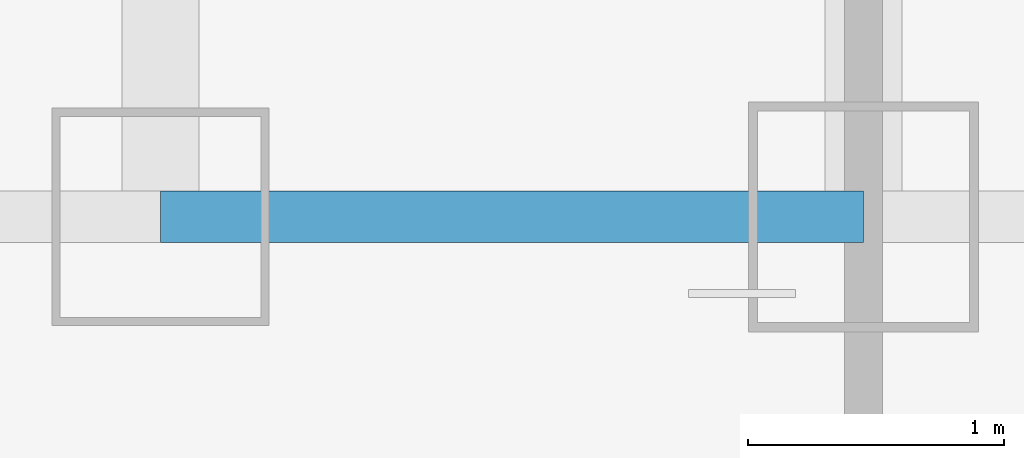
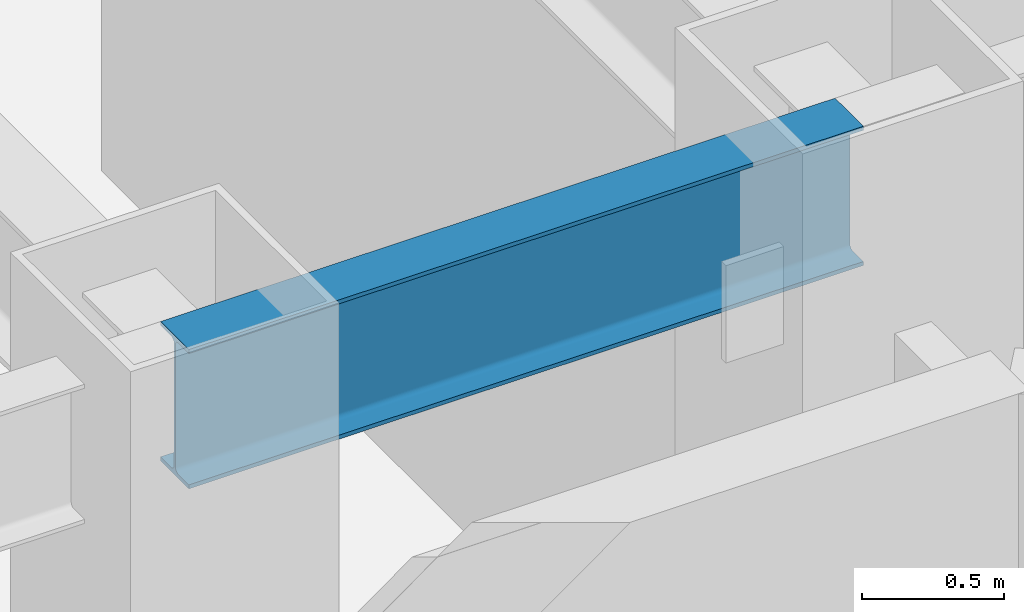
# One storey, part 3 of 29: 1 beam.
"""IFC4 building model written with IfcOpenShell, lengths in metres."""

from ifc_helpers import new_model, si_unit, direction, frame, origin, origin_2d, place, context, subcontext, project, spatial, i_section, extrude, material, material_profile, profile_set, type_object, element, save


model = new_model("IFC4")

# Units and contexts
model_context = context("Model", 3, precision=1e-05, world=origin(), true_north=direction((0.0, 1.0)))
body_context = subcontext(model_context, "Body", "Model", "MODEL_VIEW")
ifc_project = project(units=[si_unit("LENGTHUNIT", "METRE"), si_unit("AREAUNIT", "SQUARE_METRE"), si_unit("VOLUMEUNIT", "CUBIC_METRE"), si_unit("PLANEANGLEUNIT", "RADIAN"), si_unit("MASSUNIT", "GRAM", prefix="KILO")], contexts=[model_context])

# Site, building, storey
site_placement = place(None, origin())
site = spatial("IfcSite", under=ifc_project, at=site_placement, CompositionType="ELEMENT")
building_placement = place(site_placement, origin())
building = spatial("IfcBuilding", under=site, at=building_placement, Name="Hatsunagi Terrace Concourse", CompositionType="ELEMENT")
storey_placement = place(building_placement, frame((0.0, 0.0, 115.64990234375)))
storey = spatial("IfcBuildingStorey", under=building, at=storey_placement, Name="L30", CompositionType="ELEMENT", Elevation=115.64990234375)

# Beam
ifc_material = material(Name="Steel SN490B", Category="steel")
ifc_material_profile = material_profile(ifc_material, i_section(OverallWidth=0.199951171875, OverallDepth=0.60009765625, WebThickness=0.010986328125, FlangeThickness=0.01708984375, FilletRadius=0.01806640625, at=origin_2d()), Name="H-600x200x11x17")
ifc_profile_set = profile_set([ifc_material_profile], Name="Steel SN490B")
beam_type = type_object("IfcBeamType", Name="PerimeterSpandrel_H_600x200", PredefinedType="SPANDREL", material=ifc_profile_set)
beam_placement = place(storey_placement, frame((22.800048828125, 25.199951171875, 3.050048828125), z_axis=(1.0, 0.0, 0.0), x_axis=(0.0, 1.0, 0.0)))
element("IfcBeam", 1, at=beam_placement, inside=storey, type_object=beam_type, Name="Beam SP-01 BM-L30-WS-22", PredefinedType="SPANDREL", context=body_context, shape_type="SweptSolid", body=[
    extrude(i_section(OverallWidth=0.199951171875, OverallDepth=0.60009765625, WebThickness=0.010986328125, FlangeThickness=0.01708984375, FilletRadius=0.01806640625, at=origin_2d()), origin(), (0.0, 0.0, 1.0), 2.75),
])

save(model, "model.ifc")
